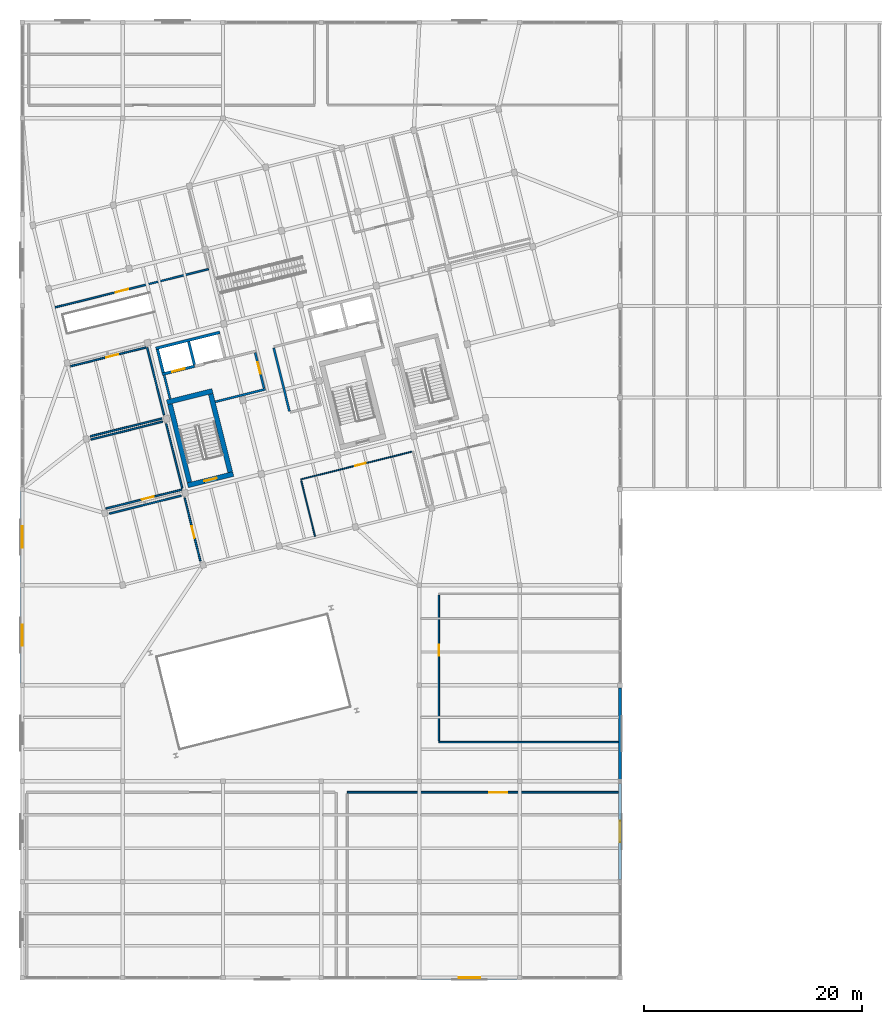
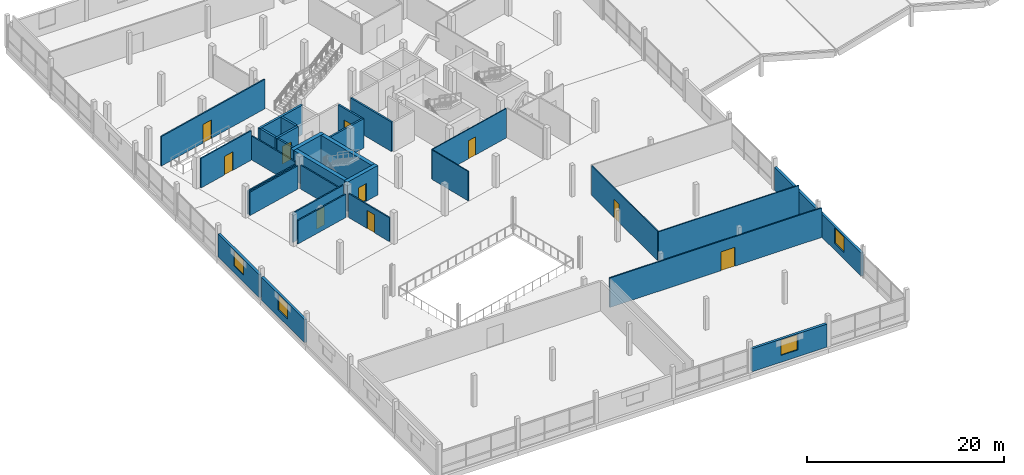
# One storey, part 41 of 47: 31 walls, 10 doors, 4 windows, 14 openings.
"""IFC4 building model written with IfcOpenShell, lengths in metres."""

from ifc_helpers import new_model, si_unit, direction, frame, frame_2d, origin, place, context, subcontext, project, spatial, rectangle, extrude, material, layer, layer_set, type_object, element, fill, save


model = new_model("IFC4")

# Units and contexts
model_context = context("Model", 3, precision=1e-05, world=origin(), true_north=direction((0.0, 1.0)))
body_context = subcontext(model_context, "Body", "Model", "MODEL_VIEW")
ifc_project = project(units=[si_unit("LENGTHUNIT", "METRE"), si_unit("AREAUNIT", "SQUARE_METRE"), si_unit("VOLUMEUNIT", "CUBIC_METRE"), si_unit("PLANEANGLEUNIT", "RADIAN"), si_unit("MASSUNIT", "GRAM", prefix="KILO")], contexts=[model_context])

# Site, building, storey
site_placement = place(None, origin())
site = spatial("IfcSite", under=ifc_project, at=site_placement, CompositionType="ELEMENT")
building_placement = place(site_placement, origin())
building = spatial("IfcBuilding", under=site, at=building_placement, Name="Meriwether Solvik Hall", CompositionType="ELEMENT")
storey_placement = place(building_placement, frame((0.0, 0.0, 18.300048828125)))
storey = spatial("IfcBuildingStorey", under=building, at=storey_placement, Name="L04", CompositionType="ELEMENT", Elevation=18.300048828125)

# Wall, opening, window
ifc_material_1 = material(Name="Cross-Laminated Timber and Mineral-Wool Insulation", Category="wood")
ifc_layer_1 = layer(ifc_material_1, 0.2900390625)
ifc_layer_set_1 = layer_set([ifc_layer_1], Name="Cross-Laminated Timber and Mineral-Wool Insulation")
wall_type_1 = type_object("IfcWallType", Name="WALL-EXT-290", PredefinedType="SOLIDWALL", material=ifc_layer_set_1)
wall_1_placement = place(storey_placement, frame((104.778076171875, 5.199951171875, 0.0), z_axis=(0.0, 0.0, 1.0), x_axis=(-1.0, 0.0, 0.0)))
wall_1 = element("IfcWall", 1, at=wall_1_placement, inside=storey, type_object=wall_type_1, Name="L04 S Wing Facade Wall XA_11_4", PredefinedType="SOLIDWALL", context=body_context, shape_type="SweptSolid", body=[
    extrude(rectangle(XDim=8.756103515625, YDim=0.2900390625, at=frame_2d((4.3779296875, 0.0))), origin(), (0.0, 0.0, 1.0), 2.85498046875),
])
opening_1_placement = place(wall_1_placement, frame((3.403076171875, 0.0, 0.85009765625)))
opening_1 = element("IfcOpeningElement", 2, at=opening_1_placement, cuts=wall_1, Name="Opening WN-158", PredefinedType="OPENING", context=body_context, shape_type="SweptSolid", body=[
    extrude(rectangle(XDim=1.949951171875, YDim=1.89990234375, at=frame_2d((0.97509765625, 0.949951171875))), frame((0.0, 0.156982421875, 0.0), z_axis=(0.0, -1.0, 0.0), x_axis=(1.0, 0.0, 0.0)), (0.0, 0.0, 1.0), 0.31396484375),
])
ifc_material_2 = material(Name="Thermally Broken Anodised Aluminium and Triple Low-E Glass", Category="aluminium")
window_type = type_object("IfcWindowType", Name="WIN-TW-LOW-195X190", PartitioningType="SINGLE_PANEL", PredefinedType="WINDOW", material=ifc_material_2)
window_1_placement = place(opening_1_placement, origin())
window_1 = element("IfcWindow", 3, at=window_1_placement, inside=storey, type_object=window_type, Name="L04 S Window XA_11_4", OverallHeight=1.89990234375, OverallWidth=1.949951171875, PartitioningType="SINGLE_PANEL", PredefinedType="WINDOW", context=body_context, shape_type="SweptSolid", body=[
    extrude(rectangle(XDim=1.949951171875, YDim=1.89990234375, at=frame_2d((0.97509765625, 0.949951171875))), frame((0.0, 0.030029296875, 0.0), z_axis=(0.0, -1.0, 0.0), x_axis=(1.0, 0.0, 0.0)), (0.0, 0.0, 1.0), 0.06005859375),
])
fill(opening_1, window_1)

wall_2_placement = place(storey_placement, frame((59.39990234375, 32.221923828125, 0.0), z_axis=(0.0, 0.0, 1.0), x_axis=(0.0, 1.0, 0.0)))
wall_2 = element("IfcWall", 4, at=wall_2_placement, inside=storey, type_object=wall_type_1, Name="L04 W Wing Facade Wall Y7_4_15", PredefinedType="SOLIDWALL", context=body_context, shape_type="SweptSolid", body=[
    extrude(rectangle(XDim=8.756103515625, YDim=0.2900390625, at=frame_2d((4.3779296875, 0.0))), origin(), (0.0, 0.0, 1.0), 2.85498046875),
])
opening_2_placement = place(wall_2_placement, frame((3.403076171875, 0.0, 0.85009765625)))
opening_2 = element("IfcOpeningElement", 5, at=opening_2_placement, cuts=wall_2, Name="Opening WN-158", PredefinedType="OPENING", context=body_context, shape_type="SweptSolid", body=[
    extrude(rectangle(XDim=1.949951171875, YDim=1.89990234375, at=frame_2d((0.97509765625, 0.949951171875))), frame((0.0, 0.156982421875, 0.0), z_axis=(0.0, -1.0, 0.0), x_axis=(1.0, 0.0, 0.0)), (0.0, 0.0, 1.0), 0.31396484375),
])
window_2_placement = place(opening_2_placement, origin())
window_2 = element("IfcWindow", 6, at=window_2_placement, inside=storey, type_object=window_type, Name="L04 W Window Y7_4_15", OverallHeight=1.89990234375, OverallWidth=1.949951171875, PartitioningType="SINGLE_PANEL", PredefinedType="WINDOW", context=body_context, shape_type="SweptSolid", body=[
    extrude(rectangle(XDim=1.949951171875, YDim=1.89990234375, at=frame_2d((0.97509765625, 0.949951171875))), frame((0.0, 0.030029296875, 0.0), z_axis=(0.0, -1.0, 0.0), x_axis=(1.0, 0.0, 0.0)), (0.0, 0.0, 1.0), 0.06005859375),
])
fill(opening_2, window_2)

wall_3_placement = place(storey_placement, frame((59.39990234375, 41.422119140625, 0.0), z_axis=(0.0, 0.0, 1.0), x_axis=(0.0, 1.0, 0.0)))
wall_3 = element("IfcWall", 7, at=wall_3_placement, inside=storey, type_object=wall_type_1, Name="L04 W Wing Facade Wall Y7_5_16", PredefinedType="SOLIDWALL", context=body_context, shape_type="SweptSolid", body=[
    extrude(rectangle(XDim=8.35595703125, YDim=0.2900390625, at=frame_2d((4.177978515625, 0.0))), origin(), (0.0, 0.0, 1.0), 2.85498046875),
])
opening_3_placement = place(wall_3_placement, frame((3.202880859375, 0.0, 0.85009765625)))
opening_3 = element("IfcOpeningElement", 8, at=opening_3_placement, cuts=wall_3, Name="Opening WN-158", PredefinedType="OPENING", context=body_context, shape_type="SweptSolid", body=[
    extrude(rectangle(XDim=1.949951171875, YDim=1.89990234375, at=frame_2d((0.97509765625, 0.949951171875))), frame((0.0, 0.156982421875, 0.0), z_axis=(0.0, -1.0, 0.0), x_axis=(1.0, 0.0, 0.0)), (0.0, 0.0, 1.0), 0.31396484375),
])
window_3_placement = place(opening_3_placement, origin())
window_3 = element("IfcWindow", 9, at=window_3_placement, inside=storey, type_object=window_type, Name="L04 W Window Y7_5_16", OverallHeight=1.89990234375, OverallWidth=1.949951171875, PartitioningType="SINGLE_PANEL", PredefinedType="WINDOW", context=body_context, shape_type="SweptSolid", body=[
    extrude(rectangle(XDim=1.949951171875, YDim=1.89990234375, at=frame_2d((0.97509765625, 0.949951171875))), frame((0.0, 0.030029296875, 0.0), z_axis=(0.0, -1.0, 0.0), x_axis=(1.0, 0.0, 0.0)), (0.0, 0.0, 1.0), 0.06005859375),
])
fill(opening_3, window_3)

wall_4_placement = place(storey_placement, frame((114.199951171875, 23.010009765625, 0.0), z_axis=(0.0, 0.0, 1.0), x_axis=(0.0, -1.0, 0.0)))
wall_4 = element("IfcWall", 10, at=wall_4_placement, inside=storey, type_object=wall_type_1, Name="L04 E Wing Facade Wall Y13_2_23", PredefinedType="SOLIDWALL", context=body_context, shape_type="SweptSolid", body=[
    extrude(rectangle(XDim=8.820068359375, YDim=0.2900390625, at=frame_2d((4.41015625, 0.0))), origin(), (0.0, 0.0, 1.0), 2.85498046875),
])
opening_4_placement = place(wall_4_placement, frame((3.43505859375, 0.0, 0.85009765625)))
opening_4 = element("IfcOpeningElement", 11, at=opening_4_placement, cuts=wall_4, Name="Opening WN-158", PredefinedType="OPENING", context=body_context, shape_type="SweptSolid", body=[
    extrude(rectangle(XDim=1.949951171875, YDim=1.89990234375, at=frame_2d((0.97509765625, 0.949951171875))), frame((0.0, 0.156982421875, 0.0), z_axis=(0.0, -1.0, 0.0), x_axis=(1.0, 0.0, 0.0)), (0.0, 0.0, 1.0), 0.31396484375),
])
window_4_placement = place(opening_4_placement, origin())
window_4 = element("IfcWindow", 12, at=window_4_placement, inside=storey, type_object=window_type, Name="L04 E Window Y13_2_23", OverallHeight=1.89990234375, OverallWidth=1.949951171875, PartitioningType="SINGLE_PANEL", PredefinedType="WINDOW", context=body_context, shape_type="SweptSolid", body=[
    extrude(rectangle(XDim=1.949951171875, YDim=1.89990234375, at=frame_2d((0.97509765625, 0.949951171875))), frame((0.0, 0.030029296875, 0.0), z_axis=(0.0, -1.0, 0.0), x_axis=(1.0, 0.0, 0.0)), (0.0, 0.0, 1.0), 0.06005859375),
])
fill(opening_4, window_4)

# Walls
wall_5_placement = place(storey_placement, frame((114.199951171875, 31.778076171875, 0.0), z_axis=(0.0, 0.0, 1.0), x_axis=(0.0, -1.0, 0.0)))
element("IfcWall", 13, at=wall_5_placement, inside=storey, type_object=wall_type_1, Name="L04 E Wing Facade Wall Y13_3_24", PredefinedType="SOLIDWALL", context=body_context, shape_type="SweptSolid", body=[
    extrude(rectangle(XDim=8.38818359375, YDim=0.2900390625, at=frame_2d((4.194091796875, 0.0))), origin(), (0.0, 0.0, 1.0), 2.85498046875),
])
ifc_material_3 = material(Name="Fire-Rated Type X Gypsum Board", Category="gypsum")
ifc_layer_2 = layer(ifc_material_3, 0.199951171875)
ifc_layer_set_2 = layer_set([ifc_layer_2], Name="Fire-Rated Type X Gypsum Board")
wall_type_2 = type_object("IfcWallType", Name="WALL-FIRE-200", PredefinedType="STANDARD", material=ifc_layer_set_2)
wall_6_placement = place(storey_placement, frame((72.94970703125, 58.269287109375, 0.0), z_axis=(0.0, 0.0, 1.0), x_axis=(-0.24194311862, 0.970290434536, 0.0)))
element("IfcWall", 14, at=wall_6_placement, inside=storey, type_object=wall_type_2, Name="L04 Interior Partition lb1_w", PredefinedType="STANDARD", context=body_context, shape_type="SweptSolid", body=[
    extrude(rectangle(XDim=2.22998046875, YDim=0.199951171875, at=frame_2d((1.114990234375, 0.0))), origin(), (0.0, 0.0, 1.0), 3.655029296875),
])
wall_7_placement = place(storey_placement, frame((77.096923828125, 58.0048828125, 0.0), z_axis=(0.0, 0.0, 1.0), x_axis=(0.970305892741, 0.241881116483, 0.0)))
element("IfcWall", 15, at=wall_7_placement, inside=storey, type_object=wall_type_2, Name="L04 Interior Partition lb1_s", PredefinedType="STANDARD", context=body_context, shape_type="SweptSolid", body=[
    extrude(rectangle(XDim=4.73974609375, YDim=0.199951171875, at=frame_2d((2.369873046875, 0.0))), origin(), (0.0, 0.0, 1.0), 3.655029296875),
])

# Wall, opening, door
wall_8_placement = place(storey_placement, frame((80.75732421875, 62.50390625, 0.0), z_axis=(0.0, 0.0, 1.0), x_axis=(0.241885902723, -0.970304699599, 0.0)))
wall_8 = element("IfcWall", 16, at=wall_8_placement, inside=storey, type_object=wall_type_2, Name="L04 Interior Partition lb1_e", PredefinedType="STANDARD", context=body_context, shape_type="SweptSolid", body=[
    extrude(rectangle(XDim=3.360107421875, YDim=0.199951171875, at=frame_2d((1.68017578125, 0.0))), origin(), (0.0, 0.0, 1.0), 3.655029296875),
])
opening_5_placement = place(wall_8_placement, frame((0.889892578125, 0.0, 0.0)))
opening_5 = element("IfcOpeningElement", 17, at=opening_5_placement, cuts=wall_8, Name="Opening D-168", PredefinedType="OPENING", context=body_context, shape_type="SweptSolid", body=[
    extrude(rectangle(XDim=1.10009765625, YDim=2.199951171875, at=frame_2d((0.550048828125, 1.10009765625))), frame((0.0, 0.11181640625, 0.0), z_axis=(0.0, -1.0, 0.0), x_axis=(1.0, 0.0, 0.0)), (0.0, 0.0, 1.0), 0.223876953125),
])
ifc_material_4 = material(Name="Steel A36 Galvanised", Category="steel")
door_type_1 = type_object("IfcDoorType", Name="DR-FD60-1100L", OperationType="SINGLE_SWING_LEFT", PredefinedType="DOOR", material=ifc_material_4)
door_1_placement = place(opening_5_placement, origin())
door_1 = element("IfcDoor", 18, at=door_1_placement, inside=storey, type_object=door_type_1, Name="West FSAE Lift Lobby Door (L04)", OperationType="SINGLE_SWING_LEFT", OverallHeight=2.199951171875, OverallWidth=1.10009765625, PredefinedType="DOOR", context=body_context, shape_type="SweptSolid", body=[
    extrude(rectangle(XDim=1.10009765625, YDim=2.199951171875, at=frame_2d((0.550048828125, 1.10009765625))), frame((0.0, 0.02490234375, 0.0), z_axis=(0.0, -1.0, 0.0), x_axis=(1.0, 0.0, 0.0)), (0.0, 0.0, 1.0), 0.050048828125),
])
fill(opening_5, door_1)

# Wall
wall_9_placement = place(storey_placement, frame((82.452880859375, 62.93701171875, 0.0), z_axis=(0.0, 0.0, 1.0), x_axis=(0.241891967324, -0.970303187743, 0.0)))
element("IfcWall", 19, at=wall_9_placement, inside=storey, type_object=wall_type_2, Name="L04 Interior Partition lb2_w", PredefinedType="STANDARD", context=body_context, shape_type="SweptSolid", body=[
    extrude(rectangle(XDim=5.97998046875, YDim=0.199951171875, at=frame_2d((2.989990234375, 0.0))), origin(), (0.0, 0.0, 1.0), 3.655029296875),
])

# Wall, opening, door
ifc_material_5 = material(Name="Tempered Laminated Glass in Anodised Aluminium Frame", Category="aluminium")
ifc_layer_3 = layer(ifc_material_5, 0.112060546875)
ifc_layer_set_3 = layer_set([ifc_layer_3], Name="Tempered Laminated Glass in Anodised Aluminium Frame")
wall_type_3 = type_object("IfcWallType", Name="WALL-GLZ-112", PredefinedType="PARTITIONING", material=ifc_layer_set_3)
wall_10_placement = place(storey_placement, frame((95.109619140625, 53.426513671875, 0.0), z_axis=(0.0, 0.0, 1.0), x_axis=(-0.970294417389, -0.241927145197, 0.0)))
wall_10 = element("IfcWall", 20, at=wall_10_placement, inside=storey, type_object=wall_type_3, Name="L04 Interior Partition sem_sc_n", PredefinedType="PARTITIONING", context=body_context, shape_type="SweptSolid", body=[
    extrude(rectangle(XDim=10.47998046875, YDim=0.112060546875, at=frame_2d((5.239990234375, 0.0))), origin(), (0.0, 0.0, 1.0), 3.655029296875),
])
opening_6_placement = place(wall_10_placement, frame((4.35302734375, 0.0, 0.0)))
opening_6 = element("IfcOpeningElement", 21, at=opening_6_placement, cuts=wall_10, Name="Opening D-166", PredefinedType="OPENING", context=body_context, shape_type="SweptSolid", body=[
    extrude(rectangle(XDim=1.0, YDim=2.25, at=frame_2d((0.5, 1.125))), frame((0.0, 0.06787109375, 0.0), z_axis=(0.0, -1.0, 0.0), x_axis=(1.0, 0.0, 0.0)), (0.0, 0.0, 1.0), 0.135986328125),
])
ifc_material_6 = material(Name="Laminated Vision Glass and Solid White Oak Timber", Category="wood")
door_type_2 = type_object("IfcDoorType", Name="DR-OFF-1000L", OperationType="SINGLE_SWING_LEFT", PredefinedType="DOOR", material=ifc_material_6)
door_2_placement = place(opening_6_placement, origin())
door_2 = element("IfcDoor", 22, at=door_2_placement, inside=storey, type_object=door_type_2, Name="L04 South Study Room Door", OperationType="SINGLE_SWING_LEFT", OverallHeight=2.25, OverallWidth=1.0, PredefinedType="DOOR", context=body_context, shape_type="SweptSolid", body=[
    extrude(rectangle(XDim=1.0, YDim=2.25, at=frame_2d((0.5, 1.125))), frame((0.0, 0.02490234375, 0.0), z_axis=(0.0, -1.0, 0.0), x_axis=(1.0, 0.0, 0.0)), (0.0, 0.0, 1.0), 0.050048828125),
])
fill(opening_6, door_2)

# Walls
wall_11_placement = place(storey_placement, frame((84.969970703125, 50.774658203125, 0.0), z_axis=(0.0, 0.0, 1.0), x_axis=(0.241914262168, -0.970297629472, 0.0)))
element("IfcWall", 23, at=wall_11_placement, inside=storey, type_object=wall_type_3, Name="L04 Interior Partition sem_sc_w", PredefinedType="PARTITIONING", context=body_context, shape_type="SweptSolid", body=[
    extrude(rectangle(XDim=5.27001953125, YDim=0.112060546875, at=frame_2d((2.635009765625, 0.0))), origin(), (0.0, 0.0, 1.0), 3.655029296875),
])
ifc_material_7 = material(Name="Concrete C40/50", Category="concrete")
ifc_layer_4 = layer(ifc_material_7, 0.25)
ifc_layer_set_4 = layer_set([ifc_layer_4], Name="Concrete C40/50")
wall_type_4 = type_object("IfcWallType", Name="WALL-HOIST-250", PredefinedType="SHEAR", material=ifc_layer_set_4)
wall_12_placement = place(storey_placement, frame((77.509765625, 64.36865234375, 0.0), z_axis=(0.0, 0.0, 1.0), x_axis=(-0.970296596103, -0.241918406889, 0.0)))
element("IfcWall", 24, at=wall_12_placement, inside=storey, type_object=wall_type_4, Name="Hoistway BANK1 North Wall (L04)", PredefinedType="SHEAR", context=body_context, shape_type="SweptSolid", body=[
    extrude(rectangle(XDim=6.050048828125, YDim=0.25, at=frame_2d((3.02490234375, 0.0))), origin(), (0.0, 0.0, 1.0), 3.655029296875),
])
for number, where, z_axis, x_axis, name in (
    (25, (71.793212890625, 62.80419921875, 0.0), (0.0, 0.0, 1.0), (0.242008581424, -0.970274108959, 0.0), "Hoistway BANK1 West Wall (L04)"),
    (26, (75.18310546875, 61.402587890625, 0.0), (0.0, 0.0, 1.0), (-0.241903146974, 0.970300400641, 0.0), "Hoistway BANK1 Divider Pier (L04)"),
):
    element("IfcWall", number, at=place(storey_placement, frame(where, z_axis=z_axis, x_axis=x_axis)), inside=storey, type_object=wall_type_4, Name=name, PredefinedType="SHEAR", context=body_context, shape_type="SweptSolid", body=[
        extrude(rectangle(XDim=2.179931640625, YDim=0.25, at=frame_2d((1.08984375, 0.0))), origin(), (0.0, 0.0, 1.0), 3.655029296875),
    ])

# Wall, opening, door
wall_13_placement = place(storey_placement, frame((72.232177734375, 60.52783203125, 0.0), z_axis=(0.0, 0.0, 1.0), x_axis=(0.970296930481, 0.241917065747, 0.0)))
wall_13 = element("IfcWall", 27, at=wall_13_placement, inside=storey, type_object=wall_type_4, Name="Lift LF-01 Landing Wall (L04)", PredefinedType="SHEAR", context=body_context, shape_type="SweptSolid", body=[
    extrude(rectangle(XDim=3.06494140625, YDim=0.25, at=frame_2d((1.532470703125, 0.0))), origin(), (0.0, 0.0, 1.0), 3.655029296875),
])
opening_7_placement = place(wall_13_placement, frame((0.9326171875, 0.0, 0.0)))
opening_7 = element("IfcOpeningElement", 28, at=opening_7_placement, cuts=wall_13, Name="Opening LD-01", PredefinedType="OPENING", context=body_context, shape_type="SweptSolid", body=[
    extrude(rectangle(XDim=1.199951171875, YDim=2.199951171875, at=frame_2d((0.60009765625, 1.10009765625))), frame((0.0, 0.136962890625, 0.0), z_axis=(0.0, -1.0, 0.0), x_axis=(1.0, 0.0, 0.0)), (0.0, 0.0, 1.0), 0.27392578125),
])
ifc_material_8 = material(Name="Stainless Steel AISI 316", Category="steel")
door_type_3 = type_object("IfcDoorType", Name="DR-LIFT-FSAE", OperationType="DOUBLE_DOOR_SLIDING", PredefinedType="DOOR", material=ifc_material_8)
door_3_placement = place(opening_7_placement, origin())
door_3 = element("IfcDoor", 29, at=door_3_placement, inside=storey, type_object=door_type_3, Name="Lift Landing Door LF-01 (L04)", OperationType="DOUBLE_DOOR_SLIDING", OverallHeight=2.199951171875, OverallWidth=1.199951171875, PredefinedType="DOOR", context=body_context, shape_type="SweptSolid", body=[
    extrude(rectangle(XDim=1.199951171875, YDim=2.199951171875, at=frame_2d((0.60009765625, 1.10009765625))), frame((0.0, 0.02490234375, 0.0), z_axis=(0.0, -1.0, 0.0), x_axis=(1.0, 0.0, 0.0)), (0.0, 0.0, 1.0), 0.050048828125),
])
fill(opening_7, door_3)

# Wall
ifc_material_9 = material(Name="Gypsum Board Partition", Category="gypsum")
ifc_layer_5 = layer(ifc_material_9, 0.125)
ifc_layer_set_5 = layer_set([ifc_layer_5], Name="Gypsum Board Partition")
wall_type_5 = type_object("IfcWallType", Name="WALL-PART-125", PredefinedType="PARTITIONING", material=ifc_layer_set_5)
wall_14_placement = place(storey_placement, frame((97.60009765625, 26.800048828125, 0.0), z_axis=(0.0, 0.0, 1.0), x_axis=(1.0, 0.0, 0.0)))
element("IfcWall", 30, at=wall_14_placement, inside=storey, type_object=wall_type_5, Name="L04 Interior Partition cur_403_s", PredefinedType="PARTITIONING", context=body_context, shape_type="SweptSolid", body=[
    extrude(rectangle(XDim=16.449951171875, YDim=0.125, at=frame_2d((8.22509765625, 0.0))), origin(), (0.0, 0.0, 1.0), 3.655029296875),
])

# Wall, opening, door
wall_15_placement = place(storey_placement, frame((97.60009765625, 40.280029296875, 0.0), z_axis=(0.0, 0.0, 1.0), x_axis=(0.0, -1.0, 0.0)))
wall_15 = element("IfcWall", 31, at=wall_15_placement, inside=storey, type_object=wall_type_5, Name="L04 Interior Partition cur_403_w", PredefinedType="PARTITIONING", context=body_context, shape_type="SweptSolid", body=[
    extrude(rectangle(XDim=13.360107421875, YDim=0.125, at=frame_2d((6.68017578125, 0.0))), origin(), (0.0, 0.0, 1.0), 3.655029296875),
])
opening_8_placement = place(wall_15_placement, frame((4.552490234375, 0.0, 0.0)))
opening_8 = element("IfcOpeningElement", 32, at=opening_8_placement, cuts=wall_15, Name="Opening D-166", PredefinedType="OPENING", context=body_context, shape_type="SweptSolid", body=[
    extrude(rectangle(XDim=1.0, YDim=2.25, at=frame_2d((0.5, 1.125))), frame((0.0, 0.074462890625, 0.0), z_axis=(0.0, -1.0, 0.0), x_axis=(1.0, 0.0, 0.0)), (0.0, 0.0, 1.0), 0.14892578125),
])
door_4_placement = place(opening_8_placement, origin())
door_4 = element("IfcDoor", 33, at=door_4_placement, inside=storey, type_object=door_type_2, Name="Curriculum Design Office Door", OperationType="SINGLE_SWING_LEFT", OverallHeight=2.25, OverallWidth=1.0, PredefinedType="DOOR", context=body_context, shape_type="SweptSolid", body=[
    extrude(rectangle(XDim=1.0, YDim=2.25, at=frame_2d((0.5, 1.125))), frame((0.0, 0.02490234375, 0.0), z_axis=(0.0, -1.0, 0.0), x_axis=(1.0, 0.0, 0.0)), (0.0, 0.0, 1.0), 0.050048828125),
])
fill(opening_8, door_4)

ifc_material_10 = material(Name="Gypsum Board Partition", Category="gypsum")
ifc_layer_6 = layer(ifc_material_10, 0.14990234375)
ifc_layer_set_6 = layer_set([ifc_layer_6], Name="Gypsum Board Partition")
wall_type_6 = type_object("IfcWallType", Name="WALL-PART-150", PredefinedType="PARTITIONING", material=ifc_layer_set_6)
wall_16_placement = place(storey_placement, frame((114.050048828125, 22.199951171875, 0.0), z_axis=(0.0, 0.0, 1.0), x_axis=(-1.0, 0.0, 0.0)))
wall_16 = element("IfcWall", 34, at=wall_16_placement, inside=storey, type_object=wall_type_6, Name="L04 Interior Partition deb_402_n", PredefinedType="PARTITIONING", context=body_context, shape_type="SweptSolid", body=[
    extrude(rectangle(XDim=24.85009765625, YDim=0.14990234375, at=frame_2d((12.425048828125, 0.0))), origin(), (0.0, 0.0, 1.0), 3.655029296875),
])
opening_9_placement = place(wall_16_placement, frame((10.177734375, 0.0, 0.0)))
opening_9 = element("IfcOpeningElement", 35, at=opening_9_placement, cuts=wall_16, Name="Opening D-137", PredefinedType="OPENING", context=body_context, shape_type="SweptSolid", body=[
    extrude(rectangle(XDim=1.64990234375, YDim=2.35009765625, at=frame_2d((0.824951171875, 1.175048828125))), frame((0.0, 0.0869140625, 0.0), z_axis=(0.0, -1.0, 0.0), x_axis=(1.0, 0.0, 0.0)), (0.0, 0.0, 1.0), 0.173828125),
])
ifc_material_11 = material(Name="Laminated Vision Glass and Solid White Oak Timber", Category="wood")
door_type_4 = type_object("IfcDoorType", Name="DR-INT-1650", OperationType="DOUBLE_DOOR_SINGLE_SWING", PredefinedType="DOOR", material=ifc_material_11)
door_5_placement = place(opening_9_placement, origin())
door_5 = element("IfcDoor", 36, at=door_5_placement, inside=storey, type_object=door_type_4, Name="Civic Debate Classroom 402 Door", OperationType="DOUBLE_DOOR_SINGLE_SWING", OverallHeight=2.35009765625, OverallWidth=1.64990234375, PredefinedType="DOOR", context=body_context, shape_type="SweptSolid", body=[
    extrude(rectangle(XDim=1.64990234375, YDim=2.35009765625, at=frame_2d((0.824951171875, 1.175048828125))), frame((0.0, 0.02490234375, 0.0), z_axis=(0.0, -1.0, 0.0), x_axis=(1.0, 0.0, 0.0)), (0.0, 0.0, 1.0), 0.050048828125),
])
fill(opening_9, door_5)

wall_17_placement = place(storey_placement, frame((75.728759765625, 43.403564453125, 0.0), z_axis=(0.0, 0.0, 1.0), x_axis=(-0.24192989378, 0.970293732071, 0.0)))
wall_17 = element("IfcWall", 37, at=wall_17_placement, inside=storey, type_object=wall_type_6, Name="L04 Interior Partition cls_sw_e", PredefinedType="PARTITIONING", context=body_context, shape_type="SweptSolid", body=[
    extrude(rectangle(XDim=5.97509765625, YDim=0.14990234375, at=frame_2d((2.987548828125, 0.0))), origin(), (0.0, 0.0, 1.0), 2.969970703125),
])
opening_10_placement = place(wall_17_placement, frame((2.172119140625, 0.0, 0.0)))
opening_10 = element("IfcOpeningElement", 38, at=opening_10_placement, cuts=wall_17, Name="Opening D-134", PredefinedType="OPENING", context=body_context, shape_type="SweptSolid", body=[
    extrude(rectangle(XDim=1.10009765625, YDim=2.25, at=frame_2d((0.550048828125, 1.125))), frame((0.0, 0.0869140625, 0.0), z_axis=(0.0, -1.0, 0.0), x_axis=(1.0, 0.0, 0.0)), (0.0, 0.0, 1.0), 0.173828125),
])
ifc_material_12 = material(Name="Laminated Vision Glass and Solid White Oak Timber", Category="wood")
door_type_5 = type_object("IfcDoorType", Name="DR-CLS-1100L", OperationType="SINGLE_SWING_LEFT", PredefinedType="DOOR", material=ifc_material_12)
door_6_placement = place(opening_10_placement, origin())
door_6 = element("IfcDoor", 39, at=door_6_placement, inside=storey, type_object=door_type_5, Name="L04 Seminar Classroom West Door", OperationType="SINGLE_SWING_LEFT", OverallHeight=2.25, OverallWidth=1.10009765625, PredefinedType="DOOR", context=body_context, shape_type="SweptSolid", body=[
    extrude(rectangle(XDim=1.10009765625, YDim=2.25, at=frame_2d((0.550048828125, 1.125))), frame((0.0, 0.02490234375, 0.0), z_axis=(0.0, -1.0, 0.0), x_axis=(1.0, 0.0, 0.0)), (0.0, 0.0, 1.0), 0.050048828125),
])
fill(opening_10, door_6)

# Wall
wall_18_placement = place(storey_placement, frame((73.96435546875, 49.39111328125, 0.0), z_axis=(0.0, 0.0, 1.0), x_axis=(-0.970292809139, -0.241933595297, 0.0)))
element("IfcWall", 40, at=wall_18_placement, inside=storey, type_object=wall_type_6, Name="L04 Interior Partition cls_sw_n", PredefinedType="PARTITIONING", context=body_context, shape_type="SweptSolid", body=[
    extrude(rectangle(XDim=6.775146484375, YDim=0.14990234375, at=frame_2d((3.3876953125, 0.0))), origin(), (0.0, 0.0, 1.0), 2.89501953125),
])

# Wall, opening, door
wall_19_placement = place(storey_placement, frame((67.07421875, 48.219482421875, 0.0), z_axis=(0.0, 0.0, 1.0), x_axis=(0.970300710949, 0.24190190229, 0.0)))
wall_19 = element("IfcWall", 41, at=wall_19_placement, inside=storey, type_object=wall_type_6, Name="L04 Interior Partition cls_mw_s", PredefinedType="PARTITIONING", context=body_context, shape_type="SweptSolid", body=[
    extrude(rectangle(XDim=7.16162109375, YDim=0.14990234375, at=frame_2d((3.580810546875, 0.0))), origin(), (0.0, 0.0, 1.0), 3.655029296875),
])
opening_11_placement = place(wall_19_placement, frame((3.39990234375, 0.0, 0.0)))
opening_11 = element("IfcOpeningElement", 42, at=opening_11_placement, cuts=wall_19, Name="Opening D-104", PredefinedType="OPENING", context=body_context, shape_type="SweptSolid", body=[
    extrude(rectangle(XDim=1.10009765625, YDim=2.25, at=frame_2d((0.550048828125, 1.125))), frame((0.0, 0.0869140625, 0.0), z_axis=(0.0, -1.0, 0.0), x_axis=(1.0, 0.0, 0.0)), (0.0, 0.0, 1.0), 0.173828125),
])
ifc_material_13 = material(Name="Laminated Vision Glass and Solid White Oak Timber", Category="wood")
door_type_6 = type_object("IfcDoorType", Name="DR-CLS-1100R", OperationType="SINGLE_SWING_RIGHT", PredefinedType="DOOR", material=ifc_material_13)
door_7_placement = place(opening_11_placement, origin())
door_7 = element("IfcDoor", 43, at=door_7_placement, inside=storey, type_object=door_type_6, Name="L04 Language Classroom Door", OperationType="SINGLE_SWING_RIGHT", OverallHeight=2.25, OverallWidth=1.10009765625, PredefinedType="DOOR", context=body_context, shape_type="SweptSolid", body=[
    extrude(rectangle(XDim=1.10009765625, YDim=2.25, at=frame_2d((0.550048828125, 1.125))), frame((0.0, 0.02490234375, 0.0), z_axis=(0.0, -1.0, 0.0), x_axis=(1.0, 0.0, 0.0)), (0.0, 0.0, 1.0), 0.050048828125),
])
fill(opening_11, door_7)

# Walls
wall_20_placement = place(storey_placement, frame((74.062744140625, 50.08544921875, 0.0), z_axis=(0.0, 0.0, 1.0), x_axis=(-0.241950623602, 0.970288563129, 0.0)))
element("IfcWall", 44, at=wall_20_placement, inside=storey, type_object=wall_type_6, Name="L04 Interior Partition cls_mw_e", PredefinedType="PARTITIONING", context=body_context, shape_type="SweptSolid", body=[
    extrude(rectangle(XDim=6.088623046875, YDim=0.14990234375, at=frame_2d((3.04443359375, 0.0))), origin(), (0.0, 0.0, 1.0), 2.969970703125),
])
for number, where, z_axis, x_axis, name in (
    (45, (72.270751953125, 56.18310546875, 0.0), (0.0, 0.0, 1.0), (-0.97029069988, -0.241942054482, 0.0), "L04 Interior Partition cls_mw_n"),
    (46, (65.62646484375, 54.835693359375, 0.0), (0.0, 0.0, 1.0), (0.970299158832, 0.241908127952, 0.0), "L04 Interior Partition cls_cw_s"),
):
    element("IfcWall", number, at=place(storey_placement, frame(where, z_axis=z_axis, x_axis=x_axis)), inside=storey, type_object=wall_type_6, Name=name, PredefinedType="PARTITIONING", context=body_context, shape_type="SweptSolid", body=[
        extrude(rectangle(XDim=6.77490234375, YDim=0.14990234375, at=frame_2d((3.387451171875, 0.0))), origin(), (0.0, 0.0, 1.0), 2.89501953125),
    ])
wall_21_placement = place(storey_placement, frame((72.39013671875, 56.793701171875, 0.0), z_axis=(0.0, 0.0, 1.0), x_axis=(-0.241922822951, 0.970295495061, 0.0)))
element("IfcWall", 47, at=wall_21_placement, inside=storey, type_object=wall_type_6, Name="L04 Interior Partition cls_cw_e", PredefinedType="PARTITIONING", context=body_context, shape_type="SweptSolid", body=[
    extrude(rectangle(XDim=6.375, YDim=0.14990234375, at=frame_2d((3.1875, 0.0))), origin(), (0.0, 0.0, 1.0), 2.969970703125),
])

# Wall, opening, door
wall_22_placement = place(storey_placement, frame((70.723876953125, 62.980712890625, 0.0), z_axis=(0.0, 0.0, 1.0), x_axis=(-0.970293813542, -0.241929567029, 0.0)))
wall_22 = element("IfcWall", 48, at=wall_22_placement, inside=storey, type_object=wall_type_6, Name="L04 Interior Partition cls_cw_n", PredefinedType="PARTITIONING", context=body_context, shape_type="SweptSolid", body=[
    extrude(rectangle(XDim=7.109375, YDim=0.14990234375, at=frame_2d((3.5546875, 0.0))), origin(), (0.0, 0.0, 1.0), 3.655029296875),
])
opening_12_placement = place(wall_22_placement, frame((2.60009765625, 0.0, 0.0)))
opening_12 = element("IfcOpeningElement", 49, at=opening_12_placement, cuts=wall_22, Name="Opening D-149", PredefinedType="OPENING", context=body_context, shape_type="SweptSolid", body=[
    extrude(rectangle(XDim=1.14990234375, YDim=2.300048828125, at=frame_2d((0.574951171875, 1.14990234375))), frame((0.0, 0.0869140625, 0.0), z_axis=(0.0, -1.0, 0.0), x_axis=(1.0, 0.0, 0.0)), (0.0, 0.0, 1.0), 0.173828125),
])
ifc_material_14 = material(Name="Laminated Vision Glass and Solid White Oak Timber", Category="wood")
door_type_7 = type_object("IfcDoorType", Name="DR-SEM-1150L", OperationType="SINGLE_SWING_LEFT", PredefinedType="DOOR", material=ifc_material_14)
door_8_placement = place(opening_12_placement, origin())
door_8 = element("IfcDoor", 50, at=door_8_placement, inside=storey, type_object=door_type_7, Name="L04 Humanities Classroom Door", OperationType="SINGLE_SWING_LEFT", OverallHeight=2.300048828125, OverallWidth=1.14990234375, PredefinedType="DOOR", context=body_context, shape_type="SweptSolid", body=[
    extrude(rectangle(XDim=1.14990234375, YDim=2.300048828125, at=frame_2d((0.574951171875, 1.14990234375))), frame((0.0, 0.02490234375, 0.0), z_axis=(0.0, -1.0, 0.0), x_axis=(1.0, 0.0, 0.0)), (0.0, 0.0, 1.0), 0.050048828125),
])
fill(opening_12, door_8)

wall_23_placement = place(storey_placement, frame((62.31982421875, 66.63623046875, 0.0), z_axis=(0.0, 0.0, 1.0), x_axis=(0.970293894173, 0.241929243644, 0.0)))
wall_23 = element("IfcWall", 51, at=wall_23_placement, inside=storey, type_object=wall_type_6, Name="L04 Interior Partition cls_nw1_s", PredefinedType="PARTITIONING", context=body_context, shape_type="SweptSolid", body=[
    extrude(rectangle(XDim=14.590087890625, YDim=0.14990234375, at=frame_2d((7.294921875, 0.0))), origin(), (0.0, 0.0, 1.0), 3.655029296875),
])
opening_13_placement = place(wall_23_placement, frame((5.817138671875, 0.0, 0.0)))
opening_13 = element("IfcOpeningElement", 52, at=opening_13_placement, cuts=wall_23, Name="Opening D-122", PredefinedType="OPENING", context=body_context, shape_type="SweptSolid", body=[
    extrude(rectangle(XDim=1.199951171875, YDim=2.300048828125, at=frame_2d((0.60009765625, 1.14990234375))), frame((0.0, 0.0869140625, 0.0), z_axis=(0.0, -1.0, 0.0), x_axis=(1.0, 0.0, 0.0)), (0.0, 0.0, 1.0), 0.173828125),
])
ifc_material_15 = material(Name="Solid-Core Rift White Oak Timber", Category="wood")
door_type_8 = type_object("IfcDoorType", Name="DR-STD-1200L", OperationType="SINGLE_SWING_LEFT", PredefinedType="DOOR", material=ifc_material_15)
door_9_placement = place(opening_13_placement, origin())
door_9 = element("IfcDoor", 53, at=door_9_placement, inside=storey, type_object=door_type_8, Name="L04 Studio Classroom North Door", OperationType="SINGLE_SWING_LEFT", OverallHeight=2.300048828125, OverallWidth=1.199951171875, PredefinedType="DOOR", context=body_context, shape_type="SweptSolid", body=[
    extrude(rectangle(XDim=1.199951171875, YDim=2.300048828125, at=frame_2d((0.60009765625, 1.14990234375))), frame((0.0, 0.02490234375, 0.0), z_axis=(0.0, -1.0, 0.0), x_axis=(1.0, 0.0, 0.0)), (0.0, 0.0, 1.0), 0.050048828125),
])
fill(opening_13, door_9)

ifc_material_16 = material(Name="Concrete C45/55", Category="concrete")
ifc_layer_7 = layer(ifc_material_16, 0.449951171875)
ifc_layer_set_7 = layer_set([ifc_layer_7], Name="Concrete C45/55")
wall_type_7 = type_object("IfcWallType", Name="WALL-RC-450", PredefinedType="SHEAR", material=ifc_layer_set_7)
wall_24_placement = place(storey_placement, frame((74.566162109375, 50.33984375, 0.0), z_axis=(0.0, 0.0, 1.0), x_axis=(0.970292610647, 0.241934391361, 0.0)))
wall_24 = element("IfcWall", 54, at=wall_24_placement, inside=storey, type_object=wall_type_7, Name="CORE-1 Shear Wall S (L04)", PredefinedType="SHEAR", context=body_context, shape_type="SweptSolid", body=[
    extrude(rectangle(XDim=4.2998046875, YDim=0.449951171875, at=frame_2d((2.14990234375, 0.0))), origin(), (0.0, 0.0, 1.0), 3.655029296875),
])
opening_14_placement = place(wall_24_placement, frame((1.574951171875, 0.0, 0.0)))
opening_14 = element("IfcOpeningElement", 55, at=opening_14_placement, cuts=wall_24, Name="Opening D-189", PredefinedType="OPENING", context=body_context, shape_type="SweptSolid", body=[
    extrude(rectangle(XDim=1.14990234375, YDim=2.199951171875, at=frame_2d((0.574951171875, 1.10009765625))), frame((0.0, 0.23681640625, 0.0), z_axis=(0.0, -1.0, 0.0), x_axis=(1.0, 0.0, 0.0)), (0.0, 0.0, 1.0), 0.473876953125),
])
ifc_material_17 = material(Name="Steel A36 Galvanised", Category="steel")
door_type_9 = type_object("IfcDoorType", Name="DR-FD90-1150L", OperationType="SINGLE_SWING_LEFT", PredefinedType="DOOR", material=ifc_material_17)
door_10_placement = place(opening_14_placement, origin())
door_10 = element("IfcDoor", 56, at=door_10_placement, inside=storey, type_object=door_type_9, Name="Stair ST-01 Smokeproof Exit Door (L04)", OperationType="SINGLE_SWING_LEFT", OverallHeight=2.199951171875, OverallWidth=1.14990234375, PredefinedType="DOOR", context=body_context, shape_type="SweptSolid", body=[
    extrude(rectangle(XDim=1.14990234375, YDim=2.199951171875, at=frame_2d((0.574951171875, 1.10009765625))), frame((0.0, 0.02490234375, 0.0), z_axis=(0.0, -1.0, 0.0), x_axis=(1.0, 0.0, 0.0)), (0.0, 0.0, 1.0), 0.050048828125),
])
fill(opening_14, door_10)

# Walls
wall_25_placement = place(storey_placement, frame((76.83935546875, 58.996826171875, 0.0), z_axis=(0.0, 0.0, 1.0), x_axis=(-0.970295933763, -0.241921063415, 0.0)))
element("IfcWall", 57, at=wall_25_placement, inside=storey, type_object=wall_type_7, Name="CORE-1 Shear Wall N (L04)", PredefinedType="SHEAR", context=body_context, shape_type="SweptSolid", body=[
    extrude(rectangle(XDim=4.300048828125, YDim=0.449951171875, at=frame_2d((2.14990234375, 0.0))), origin(), (0.0, 0.0, 1.0), 3.655029296875),
])
for number, where, z_axis, x_axis, name in (
    (58, (72.942138671875, 57.782958984375, 0.0), (0.0, 0.0, 1.0), (0.241928426141, -0.970294098006, 0.0), "CORE-1 Shear Wall W (L04)"),
    (59, (78.463134765625, 51.5537109375, 0.0), (0.0, 0.0, 1.0), (-0.241928426141, 0.970294098006, 0.0), "CORE-1 Shear Wall E (L04)"),
):
    element("IfcWall", number, at=place(storey_placement, frame(where, z_axis=z_axis, x_axis=x_axis)), inside=storey, type_object=wall_type_7, Name=name, PredefinedType="SHEAR", context=body_context, shape_type="SweptSolid", body=[
        extrude(rectangle(XDim=7.3798828125, YDim=0.449951171875, at=frame_2d((3.68994140625, 0.0))), origin(), (0.0, 0.0, 1.0), 3.655029296875),
    ])

save(model, "model.ifc")
